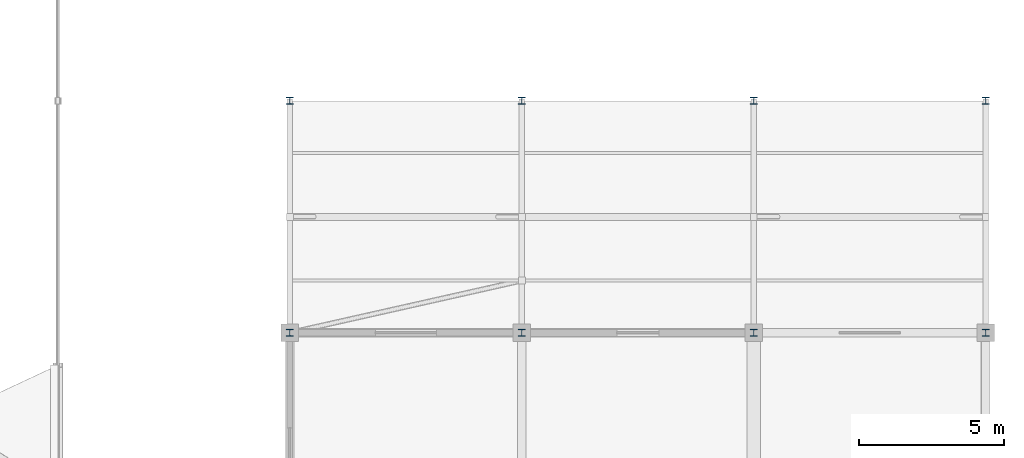
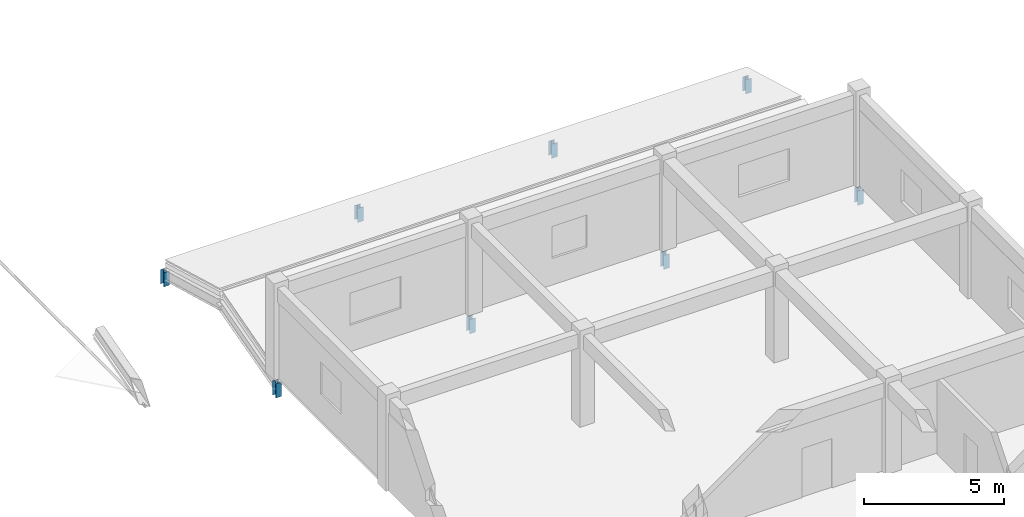
# One storey, part 30 of 54: 8 members.
"""IFC4 building model written with IfcOpenShell, lengths in metres."""

from ifc_helpers import new_model, si_unit, direction, frame, origin, origin_2d, place, context, subcontext, project, spatial, i_section, extrude, material, material_profile, profile_set, type_object, element, save


model = new_model("IFC4")

# Units and contexts
model_context = context("Model", 3, precision=1e-05, world=origin(), true_north=direction((0.0, 1.0)))
body_context = subcontext(model_context, "Body", "Model", "MODEL_VIEW")
ifc_project = project(units=[si_unit("LENGTHUNIT", "METRE"), si_unit("AREAUNIT", "SQUARE_METRE"), si_unit("VOLUMEUNIT", "CUBIC_METRE"), si_unit("PLANEANGLEUNIT", "RADIAN"), si_unit("MASSUNIT", "GRAM", prefix="KILO")], contexts=[model_context])

# Site, building, storey
site_placement = place(None, origin())
site = spatial("IfcSite", under=ifc_project, at=site_placement, CompositionType="ELEMENT")
building_placement = place(site_placement, origin())
building = spatial("IfcBuilding", under=site, at=building_placement, Name="Kenh Van Central Station", CompositionType="ELEMENT")
storey_placement = place(building_placement, frame((0.0, 0.0, 15.0)))
storey = spatial("IfcBuildingStorey", under=building, at=storey_placement, Name="L03", CompositionType="ELEMENT", Elevation=15.0)

# Members
ifc_material = material(Name="Steel S355", Category="steel")
ifc_material_profile = material_profile(ifc_material, i_section(OverallWidth=0.239990234375, OverallDepth=0.22998046875, WebThickness=0.007568359375, FlangeThickness=0.011962890625, FilletRadius=0.02099609375, at=origin_2d()), Name="HEA 240")
ifc_profile_set = profile_set([ifc_material_profile], Name="Steel S355")
member_type = type_object("IfcMemberType", Name="MEM-ROOF-POST240", PredefinedType="POST", material=ifc_profile_set)
for number, where, z_axis, x_axis, name in (
    (1, (152.0, 80.0, -0.949951171875), (0.0, 0.0, 1.0), (1.0, 0.0, 0.0), "L03 roof eave post 154"),
    (2, (152.0, 88.0, -0.949951171875), (0.0, 0.0, 1.0), (1.0, 0.0, 0.0), "L03 roof eave post 154"),
    (3, (160.0, 80.0, -0.949951171875), (0.0, 0.0, 1.0), (1.0, 0.0, 0.0), "L03 roof eave post 156"),
    (4, (160.0, 88.0, -0.949951171875), (0.0, 0.0, 1.0), (1.0, 0.0, 0.0), "L03 roof eave post 156"),
    (5, (168.0, 80.0, -0.949951171875), (0.0, 0.0, 1.0), (1.0, 0.0, 0.0), "L03 roof eave post 158"),
    (6, (168.0, 88.0, -0.949951171875), (0.0, 0.0, 1.0), (1.0, 0.0, 0.0), "L03 roof eave post 158"),
    (7, (176.0, 80.0, -0.949951171875), (0.0, 0.0, 1.0), (1.0, 0.0, 0.0), "L03 roof eave post 160"),
    (8, (176.0, 88.0, -0.949951171875), (0.0, 0.0, 1.0), (1.0, 0.0, 0.0), "L03 roof eave post 160"),
):
    element("IfcMember", number, at=place(storey_placement, frame(where, z_axis=z_axis, x_axis=x_axis)), inside=storey, type_object=member_type, Name=name, PredefinedType="POST", context=body_context, shape_type="SweptSolid", body=[
        extrude(i_section(OverallWidth=0.239990234375, OverallDepth=0.22998046875, WebThickness=0.007568359375, FlangeThickness=0.011962890625, FilletRadius=0.02099609375, at=origin_2d()), origin(), (0.0, 0.0, 1.0), 0.61865234375),
    ])

save(model, "model.ifc")
